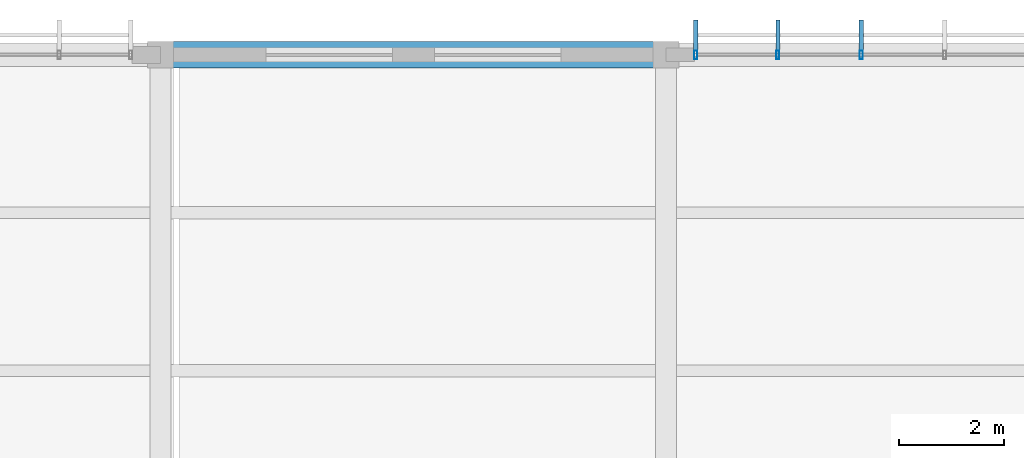
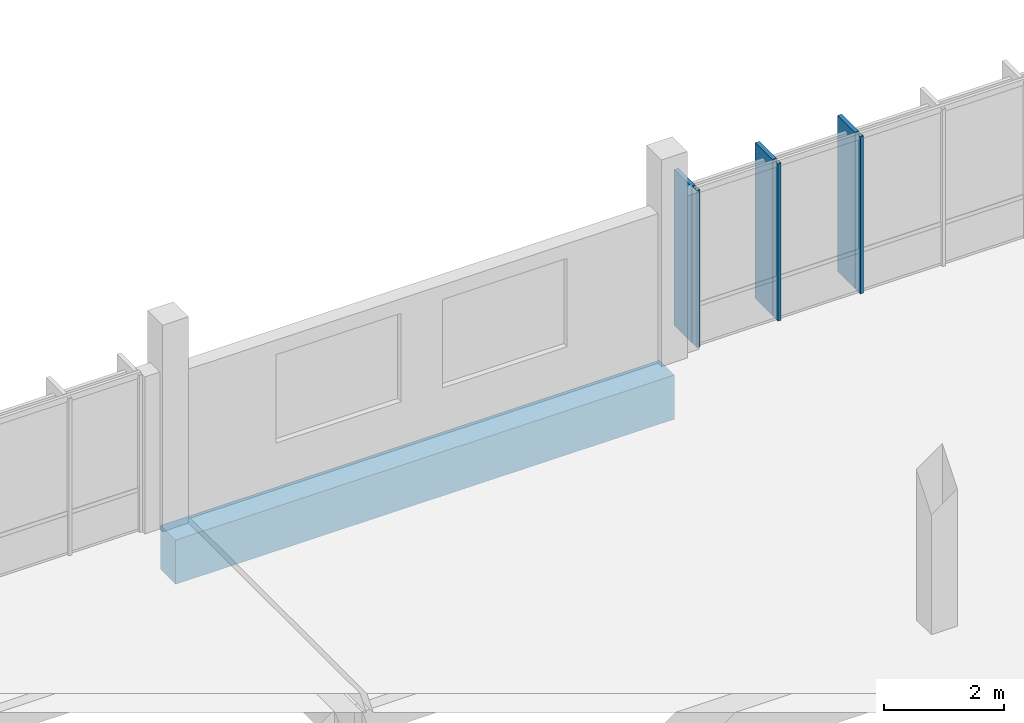
# One storey, part 68 of 107: 6 members, 1 beam, 1 element without a shape of its own.
"""IFC4 building model written with IfcOpenShell, lengths in metres."""

from ifc_helpers import new_model, si_unit, direction, frame, origin, origin_2d, place, context, subcontext, project, spatial, rectangle, hollow_rectangle, extrude, material, material_profile, profile_set, type_object, element, aggregate, save


model = new_model("IFC4")

# Units and contexts
model_context = context("Model", 3, precision=1e-05, world=origin(), true_north=direction((0.0, 1.0)))
body_context = subcontext(model_context, "Body", "Model", "MODEL_VIEW")
ifc_project = project(units=[si_unit("LENGTHUNIT", "METRE"), si_unit("AREAUNIT", "SQUARE_METRE"), si_unit("VOLUMEUNIT", "CUBIC_METRE"), si_unit("PLANEANGLEUNIT", "RADIAN"), si_unit("MASSUNIT", "GRAM", prefix="KILO")], contexts=[model_context])

# Site, building, storey
site_placement = place(None, origin())
site = spatial("IfcSite", under=ifc_project, at=site_placement, CompositionType="ELEMENT")
building_placement = place(site_placement, origin())
building = spatial("IfcBuilding", under=site, at=building_placement, Name="Chiffa Square Polytechnic", CompositionType="ELEMENT")
storey_placement = place(building_placement, frame((0.0, 0.0, 13.800048828125)))
storey = spatial("IfcBuildingStorey", under=building, at=storey_placement, Name="L03", CompositionType="ELEMENT", Elevation=13.800048828125)

# Beam
ifc_material_1 = material(Name="Concrete C40/50", Category="concrete")
ifc_material_profile_1 = material_profile(ifc_material_1, rectangle(XDim=0.5, YDim=0.89990234375, at=origin_2d()), Name="RC 500x900")
ifc_profile_set_1 = profile_set([ifc_material_profile_1], Name="Concrete C40/50")
beam_type = type_object("IfcBeamType", Name="BM-RC-500X900", PredefinedType="BEAM", material=ifc_profile_set_1)
beam_placement = place(storey_placement, frame((48.0, 130.800048828125, -0.7099609375), z_axis=(1.0, 0.0, 0.0), x_axis=(0.0, 1.0, 0.0)))
element("IfcBeam", 1, at=beam_placement, inside=storey, type_object=beam_type, Name="Primary floor girder BM-V5-L03-X-0480-1308", PredefinedType="BEAM", context=body_context, shape_type="SweptSolid", body=[
    extrude(rectangle(XDim=0.5, YDim=0.89990234375, at=origin_2d()), origin(), (0.0, 0.0, 1.0), 9.60009765625),
])

# Curtain wall, members
ifc_material_2 = material(Name="Aluminium EN AW-6060 T66 and glulam shading", Category="wood")
curtain_wall_type = type_object("IfcCurtainWallType", Name="CW-VERT-300X380", PredefinedType="USERDEFINED", material=ifc_material_2)
curtain_wall_placement = place(storey_placement, origin())
curtain_wall = element("IfcCurtainWall", 2, at=curtain_wall_placement, inside=storey, type_object=curtain_wall_type, Name="Curtain wall CW-V5-L03-235", ObjectType="CURTAIN WALL", PredefinedType="USERDEFINED")
ifc_material_3 = material(Name="Aluminium EN AW-6060 T66", Category="aluminium")
ifc_material_profile_2 = material_profile(ifc_material_3, hollow_rectangle(XDim=0.06005859375, YDim=0.159912109375, WallThickness=0.00390625, at=origin_2d()), Name="ALU 60x160x4")
ifc_profile_set_2 = profile_set([ifc_material_profile_2], Name="Aluminium EN AW-6060 T66")
member_type_1 = type_object("IfcMemberType", Name="CWM-ALU-65X150", PredefinedType="MULLION", material=ifc_profile_set_2)
member_1_placement = place(storey_placement, frame((61.30810546875, 130.800048828125, 0.0), z_axis=(0.0, 0.0, 1.0), x_axis=(1.0, 0.0, 0.0)))
member_1 = element("IfcMember", 3, at=member_1_placement, type_object=member_type_1, Name="Curtain wall mullion CW-V5-L03-235-M03", PredefinedType="MULLION", context=body_context, shape_type="SweptSolid", body=[
    extrude(hollow_rectangle(XDim=0.06005859375, YDim=0.159912109375, WallThickness=0.00390625, at=origin_2d()), origin(), (0.0, 0.0, 1.0), 3.195068359375),
])
member_2_placement = place(storey_placement, frame((59.72412109375, 130.800048828125, 0.0), z_axis=(0.0, 0.0, 1.0), x_axis=(1.0, 0.0, 0.0)))
member_2 = element("IfcMember", 4, at=member_2_placement, type_object=member_type_1, Name="Curtain wall mullion CW-V5-L03-235-M04", PredefinedType="MULLION", context=body_context, shape_type="SweptSolid", body=[
    extrude(hollow_rectangle(XDim=0.06005859375, YDim=0.159912109375, WallThickness=0.00390625, at=origin_2d()), origin(), (0.0, 0.0, 1.0), 3.195068359375),
])
member_3_placement = place(storey_placement, frame((58.1650390625, 130.800048828125, 0.0), z_axis=(0.0, 0.0, 1.0), x_axis=(1.0, 0.0, 0.0)))
member_3 = element("IfcMember", 5, at=member_3_placement, type_object=member_type_1, Name="Curtain wall mullion CW-V5-L03-235-M05", PredefinedType="MULLION", context=body_context, shape_type="SweptSolid", body=[
    extrude(hollow_rectangle(XDim=0.06005859375, YDim=0.159912109375, WallThickness=0.00390625, at=origin_2d()), origin(), (0.0, 0.0, 1.0), 3.195068359375),
])
ifc_material_4 = material(Name="Glulam GL28h", Category="wood")
ifc_material_profile_3 = material_profile(ifc_material_4, rectangle(XDim=0.080078125, YDim=0.580078125, at=origin_2d()), Name="GL28h 80x580")
ifc_profile_set_3 = profile_set([ifc_material_profile_3], Name="Glulam GL28h")
member_type_2 = type_object("IfcMemberType", Name="CWM-GL-80X580", PredefinedType="MULLION", material=ifc_profile_set_3)
member_4_placement = place(storey_placement, frame((61.30810546875, 131.172119140625, 0.010009765625), z_axis=(0.0, 0.0, 1.0), x_axis=(-1.0, 0.0, 0.0)))
member_4 = element("IfcMember", 6, at=member_4_placement, type_object=member_type_2, Name="Exterior glulam solar fin CW-V5-L03-235-FN03", PredefinedType="MULLION", context=body_context, shape_type="SweptSolid", body=[
    extrude(rectangle(XDim=0.080078125, YDim=0.580078125, at=origin_2d()), origin(), (0.0, 0.0, 1.0), 3.175048828125),
])
member_5_placement = place(storey_placement, frame((59.72412109375, 131.172119140625, 0.010009765625), z_axis=(0.0, 0.0, 1.0), x_axis=(-1.0, 0.0, 0.0)))
member_5 = element("IfcMember", 7, at=member_5_placement, type_object=member_type_2, Name="Exterior glulam solar fin CW-V5-L03-235-FN04", PredefinedType="MULLION", context=body_context, shape_type="SweptSolid", body=[
    extrude(rectangle(XDim=0.080078125, YDim=0.580078125, at=origin_2d()), origin(), (0.0, 0.0, 1.0), 3.175048828125),
])
member_6_placement = place(storey_placement, frame((58.1650390625, 131.172119140625, 0.010009765625), z_axis=(0.0, 0.0, 1.0), x_axis=(-1.0, 0.0, 0.0)))
member_6 = element("IfcMember", 8, at=member_6_placement, type_object=member_type_2, Name="Exterior glulam solar fin CW-V5-L03-235-FN05", PredefinedType="MULLION", context=body_context, shape_type="SweptSolid", body=[
    extrude(rectangle(XDim=0.080078125, YDim=0.580078125, at=origin_2d()), origin(), (0.0, 0.0, 1.0), 3.175048828125),
])
aggregate(curtain_wall, [member_1, member_4, member_2, member_5, member_3, member_6])

save(model, "model.ifc")
